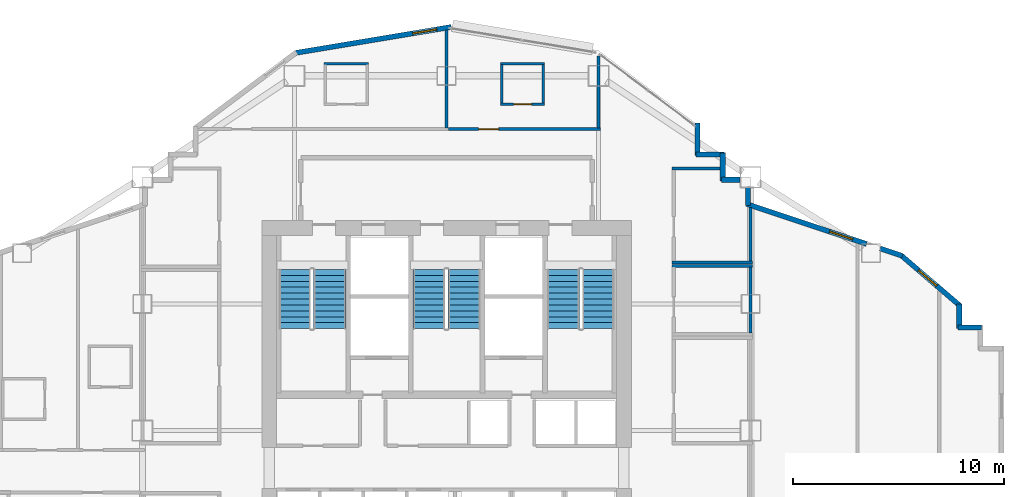
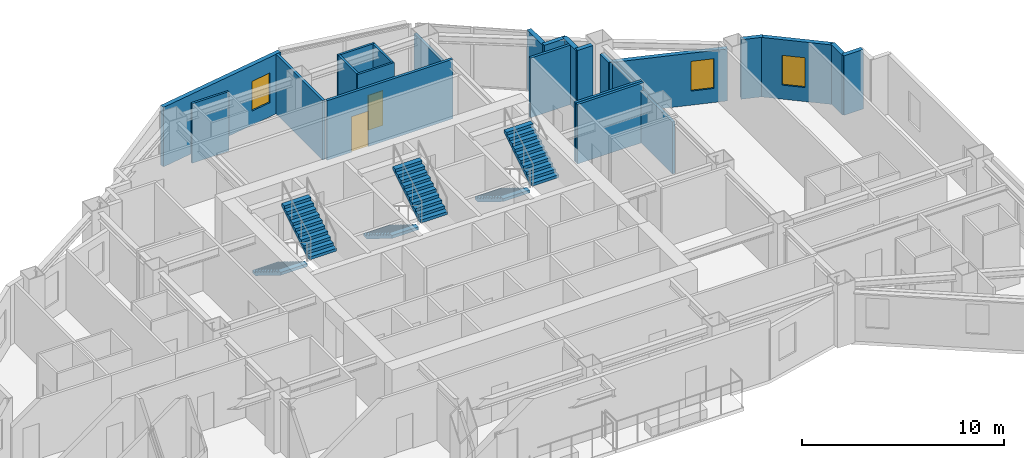
# One storey, part 12 of 14: 24 walls, 6 stair flights, 3 windows, 2 doors, 5 openings, 3 elements without a shape of their own.
"""IFC4 building model written with IfcOpenShell, lengths in metres."""

from ifc_helpers import new_model, si_unit, direction, frame, frame_2d, origin, place, context, subcontext, project, spatial, polyline, rectangle, outline, extrude, material, layer, layer_set, type_object, element, fill, aggregate, save


model = new_model("IFC4")

# Units and contexts
model_context = context("Model", 3, precision=1e-05, world=origin(), true_north=direction((0.0, 1.0)))
body_context = subcontext(model_context, "Body", "Model", "MODEL_VIEW")
ifc_project = project(units=[si_unit("LENGTHUNIT", "METRE"), si_unit("AREAUNIT", "SQUARE_METRE"), si_unit("VOLUMEUNIT", "CUBIC_METRE"), si_unit("PLANEANGLEUNIT", "RADIAN"), si_unit("MASSUNIT", "GRAM", prefix="KILO")], contexts=[model_context])

# Site, building, storey
site_placement = place(None, origin())
site = spatial("IfcSite", under=ifc_project, at=site_placement, CompositionType="ELEMENT")
building_placement = place(site_placement, origin())
building = spatial("IfcBuilding", under=site, at=building_placement, Name="Haolan Belvedere Tower", CompositionType="ELEMENT")
storey_placement = place(building_placement, frame((0.0, 0.0, 144.800048828125)))
storey = spatial("IfcBuildingStorey", under=building, at=storey_placement, Name="L36", CompositionType="ELEMENT", Elevation=144.800048828125)

# Walls
ifc_material_1 = material(Name="Precast concrete C40/50", Category="concrete")
ifc_layer_1 = layer(ifc_material_1, 0.239990234375, Name="Precast concrete C40/50")
ifc_layer_set_1 = layer_set([ifc_layer_1], Name="Precast concrete C40/50")
wall_type_1 = type_object("IfcWallType", Name="WL-EXT-240", PredefinedType="SOLIDWALL", material=ifc_layer_set_1)
wall_1_placement = place(storey_placement, frame((63.735107421875, 38.47998046875, 0.0), z_axis=(0.0, 0.0, 1.0), x_axis=(-1.0, 0.0, 0.0)))
element("IfcWall", 1, at=wall_1_placement, inside=storey, type_object=wall_type_1, Name="L36 pale-metal exterior spandrel wall 17.1", PredefinedType="SOLIDWALL", context=body_context, shape_type="SweptSolid", body=[
    extrude(rectangle(XDim=1.110107421875, YDim=0.239990234375, at=frame_2d((0.55517578125, 0.0))), origin(), (0.0, 0.0, 1.0), 3.599853515625),
])
wall_2_placement = place(storey_placement, frame((62.679931640625, 38.425048828125, 0.0), z_axis=(0.0, 0.0, 1.0), x_axis=(0.0, 1.0, 0.0)))
element("IfcWall", 2, at=wall_2_placement, inside=storey, type_object=wall_type_1, Name="L36 pale-metal exterior spandrel wall 18.1", PredefinedType="SOLIDWALL", context=body_context, shape_type="SweptSolid", body=[
    extrude(rectangle(XDim=1.1748046875, YDim=0.239990234375, at=frame_2d((0.58740234375, 0.0))), origin(), (0.0, 0.0, 1.0), 3.599853515625),
])

# Wall, opening, window
wall_3_placement = place(storey_placement, frame((62.7216796875, 39.509033203125, 0.0), z_axis=(0.0, 0.0, 1.0), x_axis=(-0.759247334792, 0.650802185469, 0.0)))
wall_3 = element("IfcWall", 3, at=wall_3_placement, inside=storey, type_object=wall_type_1, Name="L36 pale-metal exterior spandrel wall 19.1", PredefinedType="SOLIDWALL", context=body_context, shape_type="SweptSolid", body=[
    extrude(rectangle(XDim=3.71923828125, YDim=0.239990234375, at=frame_2d((1.859619140625, 0.0))), origin(), (0.0, 0.0, 1.0), 3.599853515625),
])
opening_1_placement = place(wall_3_placement, frame((1.451416015625, 0.0, 0.85009765625)))
opening_1 = element("IfcOpeningElement", 4, at=opening_1_placement, cuts=wall_3, Name="Opening W-02", PredefinedType="OPENING", context=body_context, shape_type="SweptSolid", body=[
    extrude(rectangle(XDim=1.14990234375, YDim=1.800048828125, at=frame_2d((0.574951171875, 0.89990234375))), frame((0.0, 0.1298828125, 0.0), z_axis=(0.0, -1.0, 0.0), x_axis=(1.0, 0.0, 0.0)), (0.0, 0.0, 1.0), 0.260009765625),
])
ifc_material_2 = material(Name="Anodised aluminium 6063-T6 and Low-E glass", Category="aluminium")
window_type = type_object("IfcWindowType", Name="WN-DECO-Z2", PartitioningType="SINGLE_PANEL", PredefinedType="WINDOW", material=ifc_material_2)
window_1_placement = place(opening_1_placement, origin())
window_1 = element("IfcWindow", 5, at=window_1_placement, inside=storey, type_object=window_type, Name="L36 Art Deco chevron window 1", OverallHeight=1.800048828125, OverallWidth=1.14990234375, PartitioningType="SINGLE_PANEL", PredefinedType="WINDOW", context=body_context, shape_type="SweptSolid", body=[
    extrude(rectangle(XDim=1.14990234375, YDim=1.800048828125, at=frame_2d((0.574951171875, 0.89990234375))), frame((0.0, 0.030029296875, 0.0), z_axis=(0.0, -1.0, 0.0), x_axis=(1.0, 0.0, 0.0)), (0.0, 0.0, 1.0), 0.06005859375),
])
fill(opening_1, window_1)

# Wall
wall_4_placement = place(storey_placement, frame((59.991943359375, 41.876220703125, 0.0), z_axis=(0.0, 0.0, 1.0), x_axis=(-0.948661238983, 0.316293935527, 0.0)))
element("IfcWall", 6, at=wall_4_placement, inside=storey, type_object=wall_type_1, Name="L36 pale-metal exterior spandrel wall 20.1", PredefinedType="SOLIDWALL", context=body_context, shape_type="SweptSolid", body=[
    extrude(rectangle(XDim=1.10693359375, YDim=0.239990234375, at=frame_2d((0.553466796875, 0.0))), origin(), (0.0, 0.0, 1.0), 3.599853515625),
])

# Wall, opening, window
wall_5_placement = place(storey_placement, frame((58.294677734375, 42.44189453125, 0.0), z_axis=(0.0, 0.0, 1.0), x_axis=(-0.948687385027, 0.316215504823, 0.0)))
wall_5 = element("IfcWall", 7, at=wall_5_placement, inside=storey, type_object=wall_type_1, Name="L36 pale-metal exterior spandrel wall 20.2", PredefinedType="SOLIDWALL", context=body_context, shape_type="SweptSolid", body=[
    extrude(rectangle(XDim=5.973388671875, YDim=0.239990234375, at=frame_2d((2.98681640625, 0.0))), origin(), (0.0, 0.0, 1.0), 3.14501953125),
])
opening_2_placement = place(wall_5_placement, frame((0.699951171875, 0.0, 0.85009765625)))
opening_2 = element("IfcOpeningElement", 8, at=opening_2_placement, cuts=wall_5, Name="Opening W-02", PredefinedType="OPENING", context=body_context, shape_type="SweptSolid", body=[
    extrude(rectangle(XDim=1.14990234375, YDim=1.800048828125, at=frame_2d((0.574951171875, 0.89990234375))), frame((0.0, 0.1298828125, 0.0), z_axis=(0.0, -1.0, 0.0), x_axis=(1.0, 0.0, 0.0)), (0.0, 0.0, 1.0), 0.260009765625),
])
window_2_placement = place(opening_2_placement, origin())
window_2 = element("IfcWindow", 9, at=window_2_placement, inside=storey, type_object=window_type, Name="L36 Art Deco chevron window 1", OverallHeight=1.800048828125, OverallWidth=1.14990234375, PartitioningType="SINGLE_PANEL", PredefinedType="WINDOW", context=body_context, shape_type="SweptSolid", body=[
    extrude(rectangle(XDim=1.14990234375, YDim=1.800048828125, at=frame_2d((0.574951171875, 0.89990234375))), frame((0.0, 0.030029296875, 0.0), z_axis=(0.0, -1.0, 0.0), x_axis=(1.0, 0.0, 0.0)), (0.0, 0.0, 1.0), 0.06005859375),
])
fill(opening_2, window_2)

# Walls
wall_6_placement = place(storey_placement, frame((52.679931640625, 44.258544921875, 0.0), z_axis=(0.0, 0.0, 1.0), x_axis=(0.0, 1.0, 0.0)))
element("IfcWall", 10, at=wall_6_placement, inside=storey, type_object=wall_type_1, Name="L36 pale-metal exterior spandrel wall 21.1", PredefinedType="SOLIDWALL", context=body_context, shape_type="SweptSolid", body=[
    extrude(rectangle(XDim=0.849365234375, YDim=0.239990234375, at=frame_2d((0.4248046875, 0.0))), origin(), (0.0, 0.0, 1.0), 3.14501953125),
])
wall_7_placement = place(storey_placement, frame((52.30810546875, 45.47998046875, 0.0), z_axis=(0.0, 0.0, 1.0), x_axis=(-1.0, 0.0, 0.0)))
element("IfcWall", 11, at=wall_7_placement, inside=storey, type_object=wall_type_1, Name="L36 pale-metal exterior spandrel wall 22.1", PredefinedType="SOLIDWALL", context=body_context, shape_type="SweptSolid", body=[
    extrude(rectangle(XDim=0.883056640625, YDim=0.239990234375, at=frame_2d((0.44140625, 0.0))), origin(), (0.0, 0.0, 1.0), 3.599853515625),
])
wall_8_placement = place(storey_placement, frame((51.47998046875, 45.425048828125, 0.0), z_axis=(0.0, 0.0, 1.0), x_axis=(0.0, 1.0, 0.0)))
element("IfcWall", 12, at=wall_8_placement, inside=storey, type_object=wall_type_1, Name="L36 pale-metal exterior spandrel wall 23.1", PredefinedType="SOLIDWALL", context=body_context, shape_type="SweptSolid", body=[
    extrude(rectangle(XDim=1.31005859375, YDim=0.239990234375, at=frame_2d((0.655029296875, 0.0))), origin(), (0.0, 0.0, 1.0), 3.599853515625),
])
wall_9_placement = place(storey_placement, frame((51.534912109375, 46.679931640625, 0.0), z_axis=(0.0, 0.0, 1.0), x_axis=(-1.0, 0.0, 0.0)))
element("IfcWall", 13, at=wall_9_placement, inside=storey, type_object=wall_type_1, Name="L36 pale-metal exterior spandrel wall 24.1", PredefinedType="SOLIDWALL", context=body_context, shape_type="SweptSolid", body=[
    extrude(rectangle(XDim=1.309814453125, YDim=0.239990234375, at=frame_2d((0.65478515625, 0.0))), origin(), (0.0, 0.0, 1.0), 3.599853515625),
])
wall_10_placement = place(storey_placement, frame((50.280029296875, 46.625, 0.0), z_axis=(0.0, 0.0, 1.0), x_axis=(0.0, 1.0, 0.0)))
element("IfcWall", 14, at=wall_10_placement, inside=storey, type_object=wall_type_1, Name="L36 pale-metal exterior spandrel wall 25.1", PredefinedType="SOLIDWALL", context=body_context, shape_type="SweptSolid", body=[
    extrude(rectangle(XDim=1.5400390625, YDim=0.239990234375, at=frame_2d((0.77001953125, 0.0))), origin(), (0.0, 0.0, 1.0), 3.599853515625),
])

# Wall, opening, window
wall_11_placement = place(storey_placement, frame((38.621826171875, 52.71533203125, 0.0), z_axis=(0.0, 0.0, 1.0), x_axis=(-0.98639129485, -0.164414760418, 0.0)))
wall_11 = element("IfcWall", 15, at=wall_11_placement, inside=storey, type_object=wall_type_1, Name="L36 pale-metal exterior spandrel wall 28.1", PredefinedType="SOLIDWALL", context=body_context, shape_type="SweptSolid", body=[
    extrude(rectangle(XDim=7.530029296875, YDim=0.239990234375, at=frame_2d((3.76513671875, 0.0))), origin(), (0.0, 0.0, 1.0), 3.599853515625),
])
opening_3_placement = place(wall_11_placement, frame((0.699951171875, 0.0, 0.85009765625)))
opening_3 = element("IfcOpeningElement", 16, at=opening_3_placement, cuts=wall_11, Name="Opening W-02", PredefinedType="OPENING", context=body_context, shape_type="SweptSolid", body=[
    extrude(rectangle(XDim=1.14990234375, YDim=1.800048828125, at=frame_2d((0.574951171875, 0.89990234375))), frame((0.0, 0.1298828125, 0.0), z_axis=(0.0, -1.0, 0.0), x_axis=(1.0, 0.0, 0.0)), (0.0, 0.0, 1.0), 0.260009765625),
])
window_3_placement = place(opening_3_placement, origin())
window_3 = element("IfcWindow", 17, at=window_3_placement, inside=storey, type_object=window_type, Name="L36 Art Deco chevron window 1", OverallHeight=1.800048828125, OverallWidth=1.14990234375, PartitioningType="SINGLE_PANEL", PredefinedType="WINDOW", context=body_context, shape_type="SweptSolid", body=[
    extrude(rectangle(XDim=1.14990234375, YDim=1.800048828125, at=frame_2d((0.574951171875, 0.89990234375))), frame((0.0, 0.030029296875, 0.0), z_axis=(0.0, -1.0, 0.0), x_axis=(1.0, 0.0, 0.0)), (0.0, 0.0, 1.0), 0.06005859375),
])
fill(opening_3, window_3)

# Walls
ifc_material_3 = material(Name="Double gypsum acoustic stud partition", Category="masonry")
ifc_layer_2 = layer(ifc_material_3, 0.14990234375, Name="Double gypsum acoustic stud partition")
ifc_layer_set_2 = layer_set([ifc_layer_2], Name="Double gypsum acoustic stud partition")
wall_type_2 = type_object("IfcWallType", Name="WL-PART-150", PredefinedType="PARTITIONING", material=ifc_layer_set_2)
wall_12_placement = place(storey_placement, frame((49.080078125, 41.39990234375, 0.0), z_axis=(0.0, 0.0, 1.0), x_axis=(1.0, 0.0, 0.0)))
element("IfcWall", 18, at=wall_12_placement, inside=storey, type_object=wall_type_2, Name="L36 interior partition IW-L36-AWC-N", PredefinedType="PARTITIONING", context=body_context, shape_type="SweptSolid", body=[
    extrude(rectangle(XDim=3.7998046875, YDim=0.14990234375, at=frame_2d((1.89990234375, 0.0))), origin(), (0.0, 0.0, 1.0), 3.599853515625),
])
wall_13_placement = place(storey_placement, frame((52.800048828125, 38.219970703125, 0.0), z_axis=(0.0, 0.0, 1.0), x_axis=(0.0, 1.0, 0.0)))
element("IfcWall", 19, at=wall_13_placement, inside=storey, type_object=wall_type_2, Name="L36 interior partition IW-L36-AWC-E", PredefinedType="PARTITIONING", context=body_context, shape_type="SweptSolid", body=[
    extrude(rectangle(XDim=3.1201171875, YDim=0.14990234375, at=frame_2d((1.56005859375, 0.0))), origin(), (0.0, 0.0, 1.0), 3.14501953125),
])
wall_14_placement = place(storey_placement, frame((49.080078125, 46.02001953125, 0.0), z_axis=(0.0, 0.0, 1.0), x_axis=(1.0, 0.0, 0.0)))
element("IfcWall", 20, at=wall_14_placement, inside=storey, type_object=wall_type_2, Name="L36 interior partition IW-L36-CLN-N", PredefinedType="PARTITIONING", context=body_context, shape_type="SweptSolid", body=[
    extrude(rectangle(XDim=2.294921875, YDim=0.14990234375, at=frame_2d((1.1474609375, 0.0))), origin(), (0.0, 0.0, 1.0), 3.599853515625),
])
wall_15_placement = place(storey_placement, frame((49.080078125, 41.56005859375, 0.0), z_axis=(0.0, 0.0, 1.0), x_axis=(1.0, 0.0, 0.0)))
element("IfcWall", 21, at=wall_15_placement, inside=storey, type_object=wall_type_2, Name="L36 interior partition IW-L36-CLN-S", PredefinedType="PARTITIONING", context=body_context, shape_type="SweptSolid", body=[
    extrude(rectangle(XDim=3.7998046875, YDim=0.14990234375, at=frame_2d((1.89990234375, 0.0))), origin(), (0.0, 0.0, 1.0), 3.599853515625),
])
wall_16_placement = place(storey_placement, frame((52.800048828125, 41.6201171875, 0.0), z_axis=(0.0, 0.0, 1.0), x_axis=(0.0, 1.0, 0.0)))
element("IfcWall", 22, at=wall_16_placement, inside=storey, type_object=wall_type_2, Name="L36 interior partition IW-L36-CLN-E", PredefinedType="PARTITIONING", context=body_context, shape_type="SweptSolid", body=[
    extrude(rectangle(XDim=2.542724609375, YDim=0.14990234375, at=frame_2d((1.271484375, 0.0))), origin(), (0.0, 0.0, 1.0), 3.14501953125),
])
wall_17_placement = place(storey_placement, frame((38.39990234375, 47.93994140625, 0.0), z_axis=(0.0, 0.0, 1.0), x_axis=(0.0, 1.0, 0.0)))
element("IfcWall", 23, at=wall_17_placement, inside=storey, type_object=wall_type_2, Name="L36 interior partition IW-L36-KN1-E", PredefinedType="PARTITIONING", context=body_context, shape_type="SweptSolid", body=[
    extrude(rectangle(XDim=4.632080078125, YDim=0.14990234375, at=frame_2d((2.31591796875, 0.0))), origin(), (0.0, 0.0, 1.0), 3.599853515625),
])

# Wall, opening, door
wall_18_placement = place(storey_placement, frame((38.501953125, 47.8798828125, 0.0), z_axis=(0.0, 0.0, 1.0), x_axis=(1.0, 0.0, 0.0)))
wall_18 = element("IfcWall", 24, at=wall_18_placement, inside=storey, type_object=wall_type_2, Name="L36 interior partition IW-L36-KN2-S", PredefinedType="PARTITIONING", context=body_context, shape_type="SweptSolid", body=[
    extrude(rectangle(XDim=7.197998046875, YDim=0.14990234375, at=frame_2d((3.59912109375, 0.0))), origin(), (0.0, 0.0, 1.0), 3.599853515625),
])
opening_4_placement = place(wall_18_placement, frame((1.41748046875, 0.0, 0.0)))
opening_4 = element("IfcOpeningElement", 25, at=opening_4_placement, cuts=wall_18, Name="Opening ID-02", PredefinedType="OPENING", context=body_context, shape_type="SweptSolid", body=[
    extrude(rectangle(XDim=0.949951171875, YDim=2.14990234375, at=frame_2d((0.47509765625, 1.074951171875))), frame((0.0, 0.0849609375, 0.0), z_axis=(0.0, -1.0, 0.0), x_axis=(1.0, 0.0, 0.0)), (0.0, 0.0, 1.0), 0.169921875),
])
ifc_material_4 = material(Name="Acoustic oak veneer fire-rated timber", Category="wood")
door_type_1 = type_object("IfcDoorType", Name="DR-GUEST-950", OperationType="NOTDEFINED", PredefinedType="DOOR", material=ifc_material_4)
door_1_placement = place(opening_4_placement, origin())
door_1 = element("IfcDoor", 26, at=door_1_placement, inside=storey, type_object=door_type_1, Name="L36 door ID-L36-KN2-ENT", OperationType="SINGLE_SWING_RIGHT", OverallHeight=2.14990234375, OverallWidth=0.949951171875, PredefinedType="DOOR", context=body_context, shape_type="SweptSolid", body=[
    extrude(rectangle(XDim=0.949951171875, YDim=2.14990234375, at=frame_2d((0.47509765625, 1.074951171875))), frame((0.0, 0.02490234375, 0.0), z_axis=(0.0, -1.0, 0.0), x_axis=(1.0, 0.0, 0.0)), (0.0, 0.0, 1.0), 0.050048828125),
])
fill(opening_4, door_1)

# Walls
wall_19_placement = place(storey_placement, frame((45.60009765625, 47.93994140625, 0.0), z_axis=(0.0, 0.0, 1.0), x_axis=(0.0, 1.0, 0.0)))
element("IfcWall", 27, at=wall_19_placement, inside=storey, type_object=wall_type_2, Name="L36 interior partition IW-L36-KN2-E", PredefinedType="PARTITIONING", context=body_context, shape_type="SweptSolid", body=[
    extrude(rectangle(XDim=3.39501953125, YDim=0.14990234375, at=frame_2d((1.697509765625, 0.0))), origin(), (0.0, 0.0, 1.0), 3.0849609375),
])
ifc_material_5 = material(Name="Moisture-resistant gypsum tile partition", Category="masonry")
ifc_layer_3 = layer(ifc_material_5, 0.1201171875, Name="Moisture-resistant gypsum tile partition")
ifc_layer_set_3 = layer_set([ifc_layer_3], Name="Moisture-resistant gypsum tile partition")
wall_type_3 = type_object("IfcWallType", Name="WL-WET-120", PredefinedType="PARTITIONING", material=ifc_layer_set_3)
for number, where, z_axis, x_axis, name in (
    (28, (32.595947265625, 50.97998046875, 0.0), (0.0, 0.0, 1.0), (1.0, 0.0, 0.0), "L36 interior partition IW-L36-KN1-BN"),
    (29, (40.949951171875, 50.97998046875, 0.0), (0.0, 0.0, 1.0), (1.0, 0.0, 0.0), "L36 interior partition IW-L36-KN2-BN"),
):
    element("IfcWall", number, at=place(storey_placement, frame(where, z_axis=z_axis, x_axis=x_axis)), inside=storey, type_object=wall_type_3, Name=name, PredefinedType="PARTITIONING", context=body_context, shape_type="SweptSolid", body=[
        extrude(rectangle(XDim=2.10009765625, YDim=0.1201171875, at=frame_2d((1.050048828125, 0.0))), origin(), (0.0, 0.0, 1.0), 3.599853515625),
    ])

# Wall, opening, door
wall_20_placement = place(storey_placement, frame((40.949951171875, 49.06005859375, 0.0), z_axis=(0.0, 0.0, 1.0), x_axis=(1.0, 0.0, 0.0)))
wall_20 = element("IfcWall", 30, at=wall_20_placement, inside=storey, type_object=wall_type_3, Name="L36 interior partition IW-L36-KN2-BS", PredefinedType="PARTITIONING", context=body_context, shape_type="SweptSolid", body=[
    extrude(rectangle(XDim=2.10009765625, YDim=0.1201171875, at=frame_2d((1.050048828125, 0.0))), origin(), (0.0, 0.0, 1.0), 3.599853515625),
])
opening_5_placement = place(wall_20_placement, frame((0.625, 0.0, 0.0)))
opening_5 = element("IfcOpeningElement", 31, at=opening_5_placement, cuts=wall_20, Name="Opening ID-05", PredefinedType="OPENING", context=body_context, shape_type="SweptSolid", body=[
    extrude(rectangle(XDim=0.85009765625, YDim=2.10009765625, at=frame_2d((0.425048828125, 1.050048828125))), frame((0.0, 0.070068359375, 0.0), z_axis=(0.0, -1.0, 0.0), x_axis=(1.0, 0.0, 0.0)), (0.0, 0.0, 1.0), 0.14013671875),
])
ifc_material_6 = material(Name="Moisture-resistant lacquered timber", Category="wood")
door_type_2 = type_object("IfcDoorType", Name="DR-BATH-850", OperationType="NOTDEFINED", PredefinedType="DOOR", material=ifc_material_6)
door_2_placement = place(opening_5_placement, origin())
door_2 = element("IfcDoor", 32, at=door_2_placement, inside=storey, type_object=door_type_2, Name="L36 door ID-L36-KN2-BATH", OperationType="SINGLE_SWING_LEFT", OverallHeight=2.10009765625, OverallWidth=0.85009765625, PredefinedType="DOOR", context=body_context, shape_type="SweptSolid", body=[
    extrude(rectangle(XDim=0.85009765625, YDim=2.10009765625, at=frame_2d((0.425048828125, 1.050048828125))), frame((0.0, 0.02490234375, 0.0), z_axis=(0.0, -1.0, 0.0), x_axis=(1.0, 0.0, 0.0)), (0.0, 0.0, 1.0), 0.050048828125),
])
fill(opening_5, door_2)

# Walls
for number, where, z_axis, x_axis, name in (
    (33, (41.010009765625, 49.10498046875, 0.0), (0.0, 0.0, 1.0), (0.0, 1.0, 0.0), "L36 interior partition IW-L36-KN2-BW"),
    (34, (42.989990234375, 49.10498046875, 0.0), (0.0, 0.0, 1.0), (0.0, 1.0, 0.0), "L36 interior partition IW-L36-KN2-BE"),
):
    element("IfcWall", number, at=place(storey_placement, frame(where, z_axis=z_axis, x_axis=x_axis)), inside=storey, type_object=wall_type_3, Name=name, PredefinedType="PARTITIONING", context=body_context, shape_type="SweptSolid", body=[
        extrude(rectangle(XDim=1.830078125, YDim=0.1201171875, at=frame_2d((0.9150390625, 0.0))), origin(), (0.0, 0.0, 1.0), 3.599853515625),
    ])

# Stair, stair flights
ifc_material_7 = material(Name="Concrete C40/50", Category="concrete")
stair_type = type_object("IfcStairType", Name="STR-DL-22R-173", PredefinedType="HALF_TURN_STAIR", material=ifc_material_7)
stair_1_placement = place(storey_placement, origin())
stair_1 = element("IfcStair", 35, at=stair_1_placement, inside=storey, type_object=stair_type, Name="L36 Smokeproof Core Exit Stair ST1", PredefinedType="HALF_TURN_STAIR")
stair_flight_type = type_object("IfcStairFlightType", Name="SFL-DL-11R-173", PredefinedType="STRAIGHT", material=ifc_material_7)
stair_flight_1_placement = place(storey_placement, frame((31.2099609375, 41.22998046875, 0.0), z_axis=(0.0, 0.0, 1.0), x_axis=(0.0, -1.0, 0.0)))
stair_flight_1 = element("IfcStairFlight", 36, at=stair_flight_1_placement, type_object=stair_flight_type, Name="ST1 flight 1", NumberOfRisers=11, NumberOfTreads=10, PredefinedType="STRAIGHT", RiserHeight=0.172727273, TreadLength=0.28, context=body_context, shape_type="SweptSolid", body=[
    extrude(outline(polyline([(0.0, 0.0), (0.0, 0.172607421875), (0.280029296875, 0.172607421875), (0.280029296875, 0.345458984375), (0.56005859375, 0.345458984375), (0.56005859375, 0.51806640625), (0.840087890625, 0.51806640625), (0.840087890625, 0.69091796875), (1.1201171875, 0.69091796875), (1.1201171875, 0.863525390625), (1.39990234375, 0.863525390625), (1.39990234375, 1.036376953125), (1.679931640625, 1.036376953125), (1.679931640625, 1.208984375), (1.9599609375, 1.208984375), (1.9599609375, 1.3818359375), (2.239990234375, 1.3818359375), (2.239990234375, 1.554443359375), (2.52001953125, 1.554443359375), (2.52001953125, 1.727294921875), (2.800048828125, 1.727294921875), (2.800048828125, 1.89990234375), (2.800048828125, 1.551025390625), (0.285400390625, 0.0), (0.0, 0.0)])), frame((0.0, 0.760009765625, 0.0), z_axis=(0.0, -1.0, 0.0), x_axis=(1.0, 0.0, 0.0)), (0.0, 0.0, 1.0), 1.52001953125),
])
stair_flight_2_placement = place(storey_placement, frame((32.8701171875, 38.429931640625, 1.89990234375), z_axis=(0.0, 0.0, 1.0), x_axis=(0.0, 1.0, 0.0)))
stair_flight_2 = element("IfcStairFlight", 37, at=stair_flight_2_placement, type_object=stair_flight_type, Name="ST1 flight 2", NumberOfRisers=11, NumberOfTreads=10, PredefinedType="STRAIGHT", RiserHeight=0.172727273, TreadLength=0.28, context=body_context, shape_type="SweptSolid", body=[
    extrude(outline(polyline([(0.0, 0.0), (0.0, 0.172607421875), (0.280029296875, 0.172607421875), (0.280029296875, 0.345458984375), (0.56005859375, 0.345458984375), (0.56005859375, 0.51806640625), (0.840087890625, 0.51806640625), (0.840087890625, 0.69091796875), (1.1201171875, 0.69091796875), (1.1201171875, 0.863525390625), (1.39990234375, 0.863525390625), (1.39990234375, 1.036376953125), (1.679931640625, 1.036376953125), (1.679931640625, 1.208984375), (1.9599609375, 1.208984375), (1.9599609375, 1.3818359375), (2.239990234375, 1.3818359375), (2.239990234375, 1.554443359375), (2.52001953125, 1.554443359375), (2.52001953125, 1.727294921875), (2.800048828125, 1.727294921875), (2.800048828125, 1.89990234375), (2.800048828125, 1.551025390625), (0.285400390625, 0.0), (0.0, 0.0)])), frame((0.0, 0.760009765625, 0.0), z_axis=(0.0, -1.0, 0.0), x_axis=(1.0, 0.0, 0.0)), (0.0, 0.0, 1.0), 1.52001953125),
])
aggregate(stair_1, [stair_flight_1, stair_flight_2])

stair_2_placement = place(storey_placement, origin())
stair_2 = element("IfcStair", 38, at=stair_2_placement, inside=storey, type_object=stair_type, Name="L36 Smokeproof Core Exit Stair ST3", PredefinedType="HALF_TURN_STAIR")
stair_flight_3_placement = place(storey_placement, frame((37.570068359375, 41.22998046875, 0.0), z_axis=(0.0, 0.0, 1.0), x_axis=(0.0, -1.0, 0.0)))
stair_flight_3 = element("IfcStairFlight", 39, at=stair_flight_3_placement, type_object=stair_flight_type, Name="ST3 flight 1", NumberOfRisers=11, NumberOfTreads=10, PredefinedType="STRAIGHT", RiserHeight=0.172727273, TreadLength=0.28, context=body_context, shape_type="SweptSolid", body=[
    extrude(outline(polyline([(0.0, 0.0), (0.0, 0.172607421875), (0.280029296875, 0.172607421875), (0.280029296875, 0.345458984375), (0.56005859375, 0.345458984375), (0.56005859375, 0.51806640625), (0.840087890625, 0.51806640625), (0.840087890625, 0.69091796875), (1.1201171875, 0.69091796875), (1.1201171875, 0.863525390625), (1.39990234375, 0.863525390625), (1.39990234375, 1.036376953125), (1.679931640625, 1.036376953125), (1.679931640625, 1.208984375), (1.9599609375, 1.208984375), (1.9599609375, 1.3818359375), (2.239990234375, 1.3818359375), (2.239990234375, 1.554443359375), (2.52001953125, 1.554443359375), (2.52001953125, 1.727294921875), (2.800048828125, 1.727294921875), (2.800048828125, 1.89990234375), (2.800048828125, 1.551025390625), (0.285400390625, 0.0), (0.0, 0.0)])), frame((0.0, 0.760009765625, 0.0), z_axis=(0.0, -1.0, 0.0), x_axis=(1.0, 0.0, 0.0)), (0.0, 0.0, 1.0), 1.52001953125),
])
stair_flight_4_placement = place(storey_placement, frame((39.22998046875, 38.429931640625, 1.89990234375), z_axis=(0.0, 0.0, 1.0), x_axis=(0.0, 1.0, 0.0)))
stair_flight_4 = element("IfcStairFlight", 40, at=stair_flight_4_placement, type_object=stair_flight_type, Name="ST3 flight 2", NumberOfRisers=11, NumberOfTreads=10, PredefinedType="STRAIGHT", RiserHeight=0.172727273, TreadLength=0.28, context=body_context, shape_type="SweptSolid", body=[
    extrude(outline(polyline([(0.0, 0.0), (0.0, 0.172607421875), (0.280029296875, 0.172607421875), (0.280029296875, 0.345458984375), (0.56005859375, 0.345458984375), (0.56005859375, 0.51806640625), (0.840087890625, 0.51806640625), (0.840087890625, 0.69091796875), (1.1201171875, 0.69091796875), (1.1201171875, 0.863525390625), (1.39990234375, 0.863525390625), (1.39990234375, 1.036376953125), (1.679931640625, 1.036376953125), (1.679931640625, 1.208984375), (1.9599609375, 1.208984375), (1.9599609375, 1.3818359375), (2.239990234375, 1.3818359375), (2.239990234375, 1.554443359375), (2.52001953125, 1.554443359375), (2.52001953125, 1.727294921875), (2.800048828125, 1.727294921875), (2.800048828125, 1.89990234375), (2.800048828125, 1.551025390625), (0.285400390625, 0.0), (0.0, 0.0)])), frame((0.0, 0.760009765625, 0.0), z_axis=(0.0, -1.0, 0.0), x_axis=(1.0, 0.0, 0.0)), (0.0, 0.0, 1.0), 1.52001953125),
])
aggregate(stair_2, [stair_flight_3, stair_flight_4])

stair_3_placement = place(storey_placement, origin())
stair_3 = element("IfcStair", 41, at=stair_3_placement, inside=storey, type_object=stair_type, Name="L36 Smokeproof Core Exit Stair ST2", PredefinedType="HALF_TURN_STAIR")
stair_flight_5_placement = place(storey_placement, frame((43.929931640625, 41.22998046875, 0.0), z_axis=(0.0, 0.0, 1.0), x_axis=(0.0, -1.0, 0.0)))
stair_flight_5 = element("IfcStairFlight", 42, at=stair_flight_5_placement, type_object=stair_flight_type, Name="ST2 flight 1", NumberOfRisers=11, NumberOfTreads=10, PredefinedType="STRAIGHT", RiserHeight=0.172727273, TreadLength=0.28, context=body_context, shape_type="SweptSolid", body=[
    extrude(outline(polyline([(0.0, 0.0), (0.0, 0.172607421875), (0.280029296875, 0.172607421875), (0.280029296875, 0.345458984375), (0.56005859375, 0.345458984375), (0.56005859375, 0.51806640625), (0.840087890625, 0.51806640625), (0.840087890625, 0.69091796875), (1.1201171875, 0.69091796875), (1.1201171875, 0.863525390625), (1.39990234375, 0.863525390625), (1.39990234375, 1.036376953125), (1.679931640625, 1.036376953125), (1.679931640625, 1.208984375), (1.9599609375, 1.208984375), (1.9599609375, 1.3818359375), (2.239990234375, 1.3818359375), (2.239990234375, 1.554443359375), (2.52001953125, 1.554443359375), (2.52001953125, 1.727294921875), (2.800048828125, 1.727294921875), (2.800048828125, 1.89990234375), (2.800048828125, 1.551025390625), (0.285400390625, 0.0), (0.0, 0.0)])), frame((0.0, 0.760009765625, 0.0), z_axis=(0.0, -1.0, 0.0), x_axis=(1.0, 0.0, 0.0)), (0.0, 0.0, 1.0), 1.52001953125),
])
stair_flight_6_placement = place(storey_placement, frame((45.590087890625, 38.429931640625, 1.89990234375), z_axis=(0.0, 0.0, 1.0), x_axis=(0.0, 1.0, 0.0)))
stair_flight_6 = element("IfcStairFlight", 43, at=stair_flight_6_placement, type_object=stair_flight_type, Name="ST2 flight 2", NumberOfRisers=11, NumberOfTreads=10, PredefinedType="STRAIGHT", RiserHeight=0.172727273, TreadLength=0.28, context=body_context, shape_type="SweptSolid", body=[
    extrude(outline(polyline([(0.0, 0.0), (0.0, 0.172607421875), (0.280029296875, 0.172607421875), (0.280029296875, 0.345458984375), (0.56005859375, 0.345458984375), (0.56005859375, 0.51806640625), (0.840087890625, 0.51806640625), (0.840087890625, 0.69091796875), (1.1201171875, 0.69091796875), (1.1201171875, 0.863525390625), (1.39990234375, 0.863525390625), (1.39990234375, 1.036376953125), (1.679931640625, 1.036376953125), (1.679931640625, 1.208984375), (1.9599609375, 1.208984375), (1.9599609375, 1.3818359375), (2.239990234375, 1.3818359375), (2.239990234375, 1.554443359375), (2.52001953125, 1.554443359375), (2.52001953125, 1.727294921875), (2.800048828125, 1.727294921875), (2.800048828125, 1.89990234375), (2.800048828125, 1.551025390625), (0.285400390625, 0.0), (0.0, 0.0)])), frame((0.0, 0.760009765625, 0.0), z_axis=(0.0, -1.0, 0.0), x_axis=(1.0, 0.0, 0.0)), (0.0, 0.0, 1.0), 1.52001953125),
])
aggregate(stair_3, [stair_flight_5, stair_flight_6])

save(model, "model.ifc")
